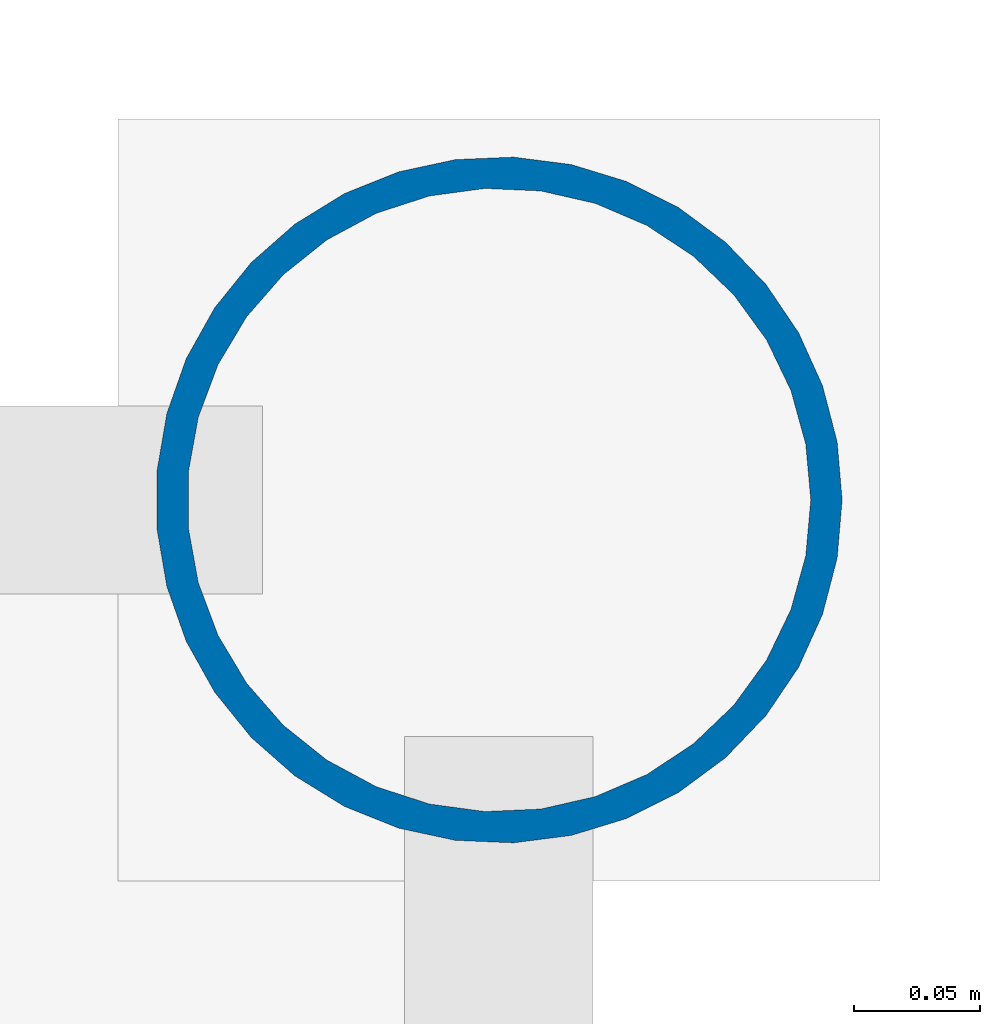
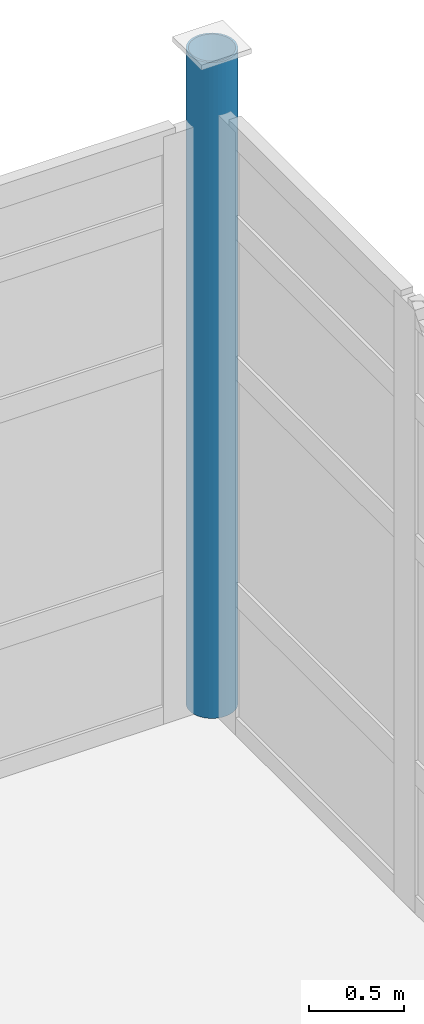
# One storey, part 21 of 122: 1 column.
"""IFC4 building model written with IfcOpenShell, lengths in metres."""

from ifc_helpers import new_model, si_unit, direction, frame, origin, origin_2d, place, context, subcontext, project, spatial, hollow_circle, extrude, material, material_profile, profile_set, type_object, element, save


model = new_model("IFC4")

# Units and contexts
model_context = context("Model", 3, precision=1e-05, world=origin(), true_north=direction((0.0, 1.0)))
body_context = subcontext(model_context, "Body", "Model", "MODEL_VIEW")
ifc_project = project(units=[si_unit("LENGTHUNIT", "METRE"), si_unit("AREAUNIT", "SQUARE_METRE"), si_unit("VOLUMEUNIT", "CUBIC_METRE"), si_unit("PLANEANGLEUNIT", "RADIAN"), si_unit("MASSUNIT", "GRAM", prefix="KILO"), si_unit("THERMODYNAMICTEMPERATUREUNIT", "KELVIN"), si_unit("POWERUNIT", "WATT")], contexts=[model_context])

# Site, building, storey
site_placement = place(None, origin())
site = spatial("IfcSite", under=ifc_project, at=site_placement, CompositionType="ELEMENT")
building_placement = place(site_placement, origin())
building = spatial("IfcBuilding", under=site, at=building_placement, Name="Korenveer Ferry Terminal", CompositionType="ELEMENT")
storey_placement = place(building_placement, frame((0.0, 0.0, 10.199951171875)))
storey = spatial("IfcBuildingStorey", under=building, at=storey_placement, Name="L02", CompositionType="ELEMENT", Elevation=10.199951171875)

# Column
ifc_material = material(Name="Steel S355", Category="steel")
ifc_material_profile = material_profile(ifc_material, hollow_circle(Radius=0.136474609375, WallThickness=0.012451171875, at=origin_2d()), Name="CHS 273x12.5")
ifc_profile_set = profile_set([ifc_material_profile], Name="Steel S355")
column_type = type_object("IfcColumnType", Name="STR-COL-CHS273", PredefinedType="COLUMN", material=ifc_profile_set)
column_placement = place(storey_placement, frame((136.0, 116.0, 0.0), z_axis=(0.0, 0.0, 1.0), x_axis=(1.0, 0.0, 0.0)))
element("IfcColumn", 1, at=column_placement, inside=storey, type_object=column_type, Name="Column COL-L02-X136-Y116", PredefinedType="COLUMN", context=body_context, shape_type="SweptSolid", body=[
    extrude(hollow_circle(Radius=0.136474609375, WallThickness=0.012451171875, at=origin_2d()), origin(), (0.0, 0.0, 1.0), 4.199951171875),
])

save(model, "model.ifc")
